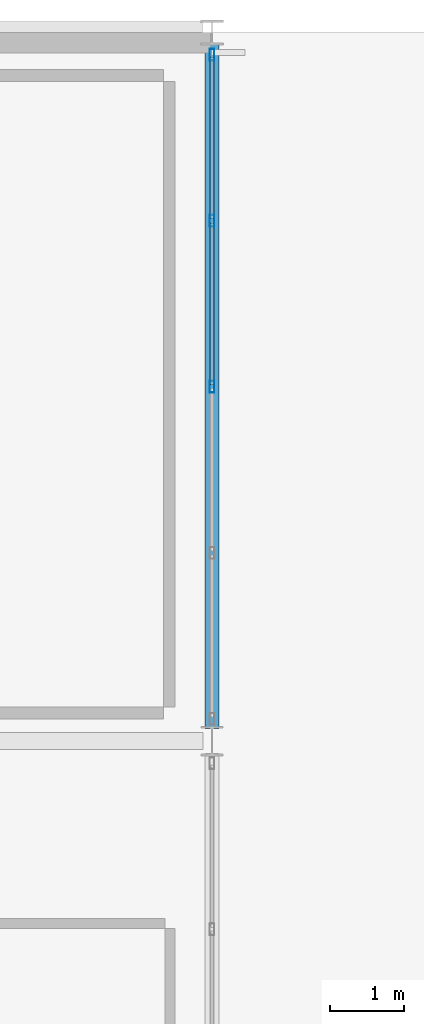
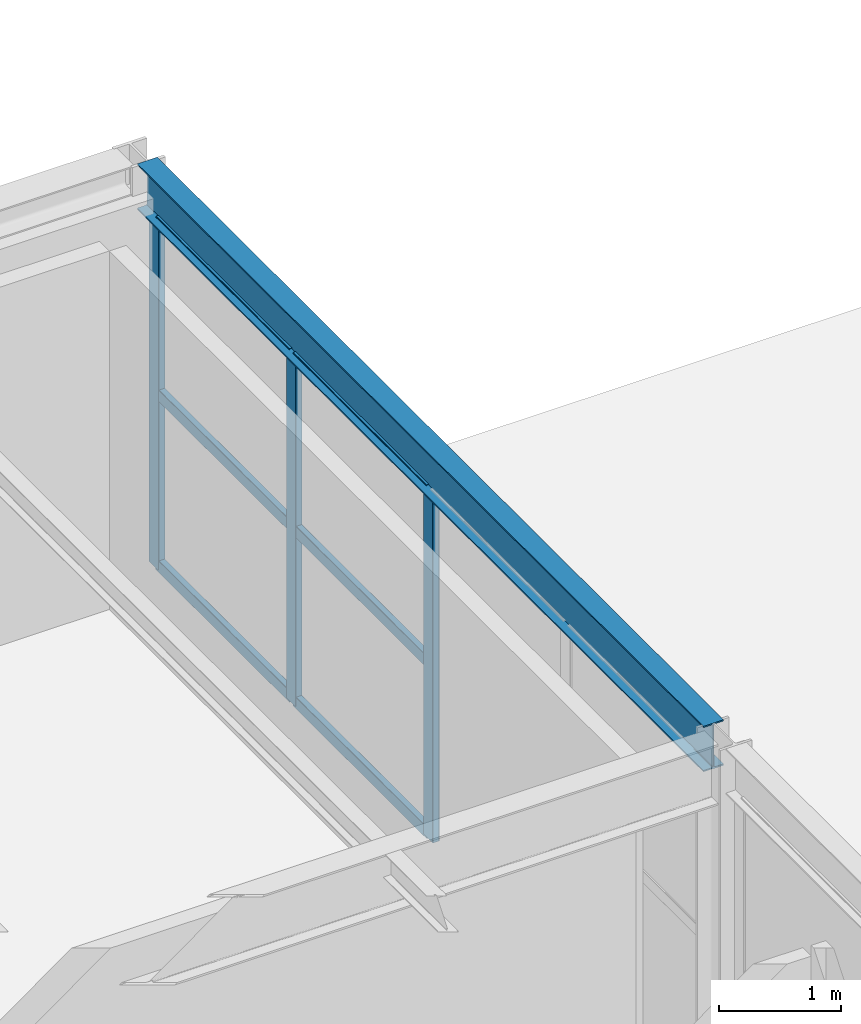
# One storey, part 92 of 126: 9 members, 1 beam, 1 element without a shape of its own.
"""IFC4 building model written with IfcOpenShell, lengths in metres."""

from ifc_helpers import new_model, si_unit, direction, frame, origin, origin_2d, place, context, subcontext, project, spatial, hollow_rectangle, i_section, extrude, material, material_profile, profile_set, type_object, element, aggregate, save


model = new_model("IFC4")

# Units and contexts
model_context = context("Model", 3, precision=1e-05, world=origin(), true_north=direction((0.0, 1.0)))
body_context = subcontext(model_context, "Body", "Model", "MODEL_VIEW")
ifc_project = project(units=[si_unit("LENGTHUNIT", "METRE"), si_unit("AREAUNIT", "SQUARE_METRE"), si_unit("VOLUMEUNIT", "CUBIC_METRE"), si_unit("PLANEANGLEUNIT", "RADIAN"), si_unit("MASSUNIT", "GRAM", prefix="KILO")], contexts=[model_context])

# Site, building, storey
site_placement = place(None, origin())
site = spatial("IfcSite", under=ifc_project, at=site_placement, CompositionType="ELEMENT")
building_placement = place(site_placement, origin())
building = spatial("IfcBuilding", under=site, at=building_placement, Name="Coralgate Yard Interchange", CompositionType="ELEMENT")
storey_placement = place(building_placement, frame((0.0, 0.0, 10.5)))
storey = spatial("IfcBuildingStorey", under=building, at=storey_placement, Name="L02", CompositionType="ELEMENT", Elevation=10.5)

# Beam
ifc_material_1 = material(Name="Structural steel S355J2", Category="steel")
ifc_material_profile_1 = material_profile(ifc_material_1, i_section(OverallWidth=0.1904296875, OverallDepth=0.45703125, WebThickness=0.009033203125, FlangeThickness=0.014404296875, FilletRadius=0.01025390625, at=origin_2d()), Name="UB 457x191x74")
ifc_profile_set_1 = profile_set([ifc_material_profile_1], Name="Structural steel S355J2")
beam_type = type_object("IfcBeamType", Name="BM-SB-2", PredefinedType="BEAM", material=ifc_profile_set_1)
beam_placement = place(storey_placement, frame((96.0, 86.570068359375, 3.721435546875), z_axis=(0.0, 1.0, 0.0), x_axis=(-1.0, 0.0, 0.0)))
element("IfcBeam", 1, at=beam_placement, inside=storey, type_object=beam_type, Name="L02 primary grid girder X10 Y9-10", PredefinedType="BEAM", context=body_context, shape_type="SweptSolid", body=[
    extrude(i_section(OverallWidth=0.1904296875, OverallDepth=0.45703125, WebThickness=0.009033203125, FlangeThickness=0.014404296875, FilletRadius=0.01025390625, at=origin_2d()), origin(), (0.0, 0.0, 1.0), 9.2900390625),
])

# Curtain wall, members
ifc_material_2 = material(Name="Anodised coastal aluminium and solar-control low-E glass", Category="aluminium")
curtain_wall_type = type_object("IfcCurtainWallType", Name="CW-CW-L02-A", PredefinedType="NOTDEFINED", material=ifc_material_2)
curtain_wall_placement = place(storey_placement, origin())
curtain_wall = element("IfcCurtainWall", 2, at=curtain_wall_placement, inside=storey, type_object=curtain_wall_type, Name="L02 unitised curtain wall CW-L02-E-09-09", PredefinedType="NOTDEFINED")
ifc_material_3 = material(Name="Anodised coastal aluminium 6063-T6", Category="aluminium")
ifc_material_profile_2 = material_profile(ifc_material_3, hollow_rectangle(XDim=0.06494140625, YDim=0.159912109375, WallThickness=0.00390625, InnerFilletRadius=0.00390625, OuterFilletRadius=0.008056640625, at=origin_2d()), Name="ALU 65x160x4")
ifc_profile_set_2 = profile_set([ifc_material_profile_2], Name="Anodised coastal aluminium 6063-T6")
member_type_1 = type_object("IfcMemberType", Name="MB-MUL-160", PredefinedType="MULLION", material=ifc_profile_set_2)
member_1_placement = place(storey_placement, frame((96.0, 95.699951171875, 0.0), z_axis=(0.0, 0.0, 1.0), x_axis=(1.0, 0.0, 0.0)))
member_1 = element("IfcMember", 3, at=member_1_placement, type_object=member_type_1, Name="CW-L02-E-09-09 vertical mullion 1", PredefinedType="MULLION", context=body_context, shape_type="SweptSolid", body=[
    extrude(hollow_rectangle(XDim=0.06494140625, YDim=0.159912109375, WallThickness=0.00390625, InnerFilletRadius=0.00390625, OuterFilletRadius=0.008056640625, at=origin_2d()), origin(), (0.0, 0.0, 1.0), 3.492919921875),
])
member_2_placement = place(storey_placement, frame((96.0, 93.449951171875, 0.0), z_axis=(0.0, 0.0, 1.0), x_axis=(1.0, 0.0, 0.0)))
member_2 = element("IfcMember", 4, at=member_2_placement, type_object=member_type_1, Name="CW-L02-E-09-09 vertical mullion 2", PredefinedType="MULLION", context=body_context, shape_type="SweptSolid", body=[
    extrude(hollow_rectangle(XDim=0.06494140625, YDim=0.159912109375, WallThickness=0.00390625, InnerFilletRadius=0.00390625, OuterFilletRadius=0.008056640625, at=origin_2d()), origin(), (0.0, 0.0, 1.0), 3.492919921875),
])
member_3_placement = place(storey_placement, frame((96.0, 91.199951171875, 0.0), z_axis=(0.0, 0.0, 1.0), x_axis=(1.0, 0.0, 0.0)))
member_3 = element("IfcMember", 5, at=member_3_placement, type_object=member_type_1, Name="CW-L02-E-09-09 vertical mullion 3", PredefinedType="MULLION", context=body_context, shape_type="SweptSolid", body=[
    extrude(hollow_rectangle(XDim=0.06494140625, YDim=0.159912109375, WallThickness=0.00390625, InnerFilletRadius=0.00390625, OuterFilletRadius=0.008056640625, at=origin_2d()), origin(), (0.0, 0.0, 1.0), 3.492919921875),
])
ifc_material_profile_3 = material_profile(ifc_material_3, hollow_rectangle(XDim=0.06005859375, YDim=0.1201171875, WallThickness=0.00341796875, InnerFilletRadius=0.00341796875, OuterFilletRadius=0.007080078125, at=origin_2d()), Name="ALU 60x120x3.5")
ifc_profile_set_3 = profile_set([ifc_material_profile_3], Name="Anodised coastal aluminium 6063-T6")
member_type_2 = type_object("IfcMemberType", Name="MB-TRN-120", PredefinedType="USERDEFINED", material=ifc_profile_set_3)
member_4_placement = place(storey_placement, frame((96.0, 95.669921875, 0.034912109375), z_axis=(0.0, -1.0, 0.0), x_axis=(1.0, 0.0, 0.0)))
member_4 = element("IfcMember", 6, at=member_4_placement, type_object=member_type_2, Name="CW-L02-E-09-09 horizontal transom 1-1", ObjectType="TRANSOM", PredefinedType="USERDEFINED", context=body_context, shape_type="SweptSolid", body=[
    extrude(hollow_rectangle(XDim=0.06005859375, YDim=0.1201171875, WallThickness=0.00341796875, InnerFilletRadius=0.00341796875, OuterFilletRadius=0.007080078125, at=origin_2d()), origin(), (0.0, 0.0, 1.0), 2.18994140625),
])
member_5_placement = place(storey_placement, frame((96.0, 95.669921875, 1.74658203125), z_axis=(0.0, -1.0, 0.0), x_axis=(1.0, 0.0, 0.0)))
member_5 = element("IfcMember", 7, at=member_5_placement, type_object=member_type_2, Name="CW-L02-E-09-09 horizontal transom 1-2", ObjectType="TRANSOM", PredefinedType="USERDEFINED", context=body_context, shape_type="SweptSolid", body=[
    extrude(hollow_rectangle(XDim=0.06005859375, YDim=0.1201171875, WallThickness=0.00341796875, InnerFilletRadius=0.00341796875, OuterFilletRadius=0.007080078125, at=origin_2d()), origin(), (0.0, 0.0, 1.0), 2.18994140625),
])
member_6_placement = place(storey_placement, frame((96.0, 95.669921875, 3.4580078125), z_axis=(0.0, -1.0, 0.0), x_axis=(1.0, 0.0, 0.0)))
member_6 = element("IfcMember", 8, at=member_6_placement, type_object=member_type_2, Name="CW-L02-E-09-09 horizontal transom 1-3", ObjectType="TRANSOM", PredefinedType="USERDEFINED", context=body_context, shape_type="SweptSolid", body=[
    extrude(hollow_rectangle(XDim=0.06005859375, YDim=0.1201171875, WallThickness=0.00341796875, InnerFilletRadius=0.00341796875, OuterFilletRadius=0.007080078125, at=origin_2d()), origin(), (0.0, 0.0, 1.0), 2.18994140625),
])
member_7_placement = place(storey_placement, frame((96.0, 93.419921875, 0.034912109375), z_axis=(0.0, -1.0, 0.0), x_axis=(1.0, 0.0, 0.0)))
member_7 = element("IfcMember", 9, at=member_7_placement, type_object=member_type_2, Name="CW-L02-E-09-09 horizontal transom 2-1", ObjectType="TRANSOM", PredefinedType="USERDEFINED", context=body_context, shape_type="SweptSolid", body=[
    extrude(hollow_rectangle(XDim=0.06005859375, YDim=0.1201171875, WallThickness=0.00341796875, InnerFilletRadius=0.00341796875, OuterFilletRadius=0.007080078125, at=origin_2d()), origin(), (0.0, 0.0, 1.0), 2.18994140625),
])
member_8_placement = place(storey_placement, frame((96.0, 93.419921875, 1.74658203125), z_axis=(0.0, -1.0, 0.0), x_axis=(1.0, 0.0, 0.0)))
member_8 = element("IfcMember", 10, at=member_8_placement, type_object=member_type_2, Name="CW-L02-E-09-09 horizontal transom 2-2", ObjectType="TRANSOM", PredefinedType="USERDEFINED", context=body_context, shape_type="SweptSolid", body=[
    extrude(hollow_rectangle(XDim=0.06005859375, YDim=0.1201171875, WallThickness=0.00341796875, InnerFilletRadius=0.00341796875, OuterFilletRadius=0.007080078125, at=origin_2d()), origin(), (0.0, 0.0, 1.0), 2.18994140625),
])
member_9_placement = place(storey_placement, frame((96.0, 93.419921875, 3.4580078125), z_axis=(0.0, -1.0, 0.0), x_axis=(1.0, 0.0, 0.0)))
member_9 = element("IfcMember", 11, at=member_9_placement, type_object=member_type_2, Name="CW-L02-E-09-09 horizontal transom 2-3", ObjectType="TRANSOM", PredefinedType="USERDEFINED", context=body_context, shape_type="SweptSolid", body=[
    extrude(hollow_rectangle(XDim=0.06005859375, YDim=0.1201171875, WallThickness=0.00341796875, InnerFilletRadius=0.00341796875, OuterFilletRadius=0.007080078125, at=origin_2d()), origin(), (0.0, 0.0, 1.0), 2.18994140625),
])
aggregate(curtain_wall, [member_1, member_2, member_3, member_4, member_5, member_6, member_7, member_8, member_9])

save(model, "model.ifc")
